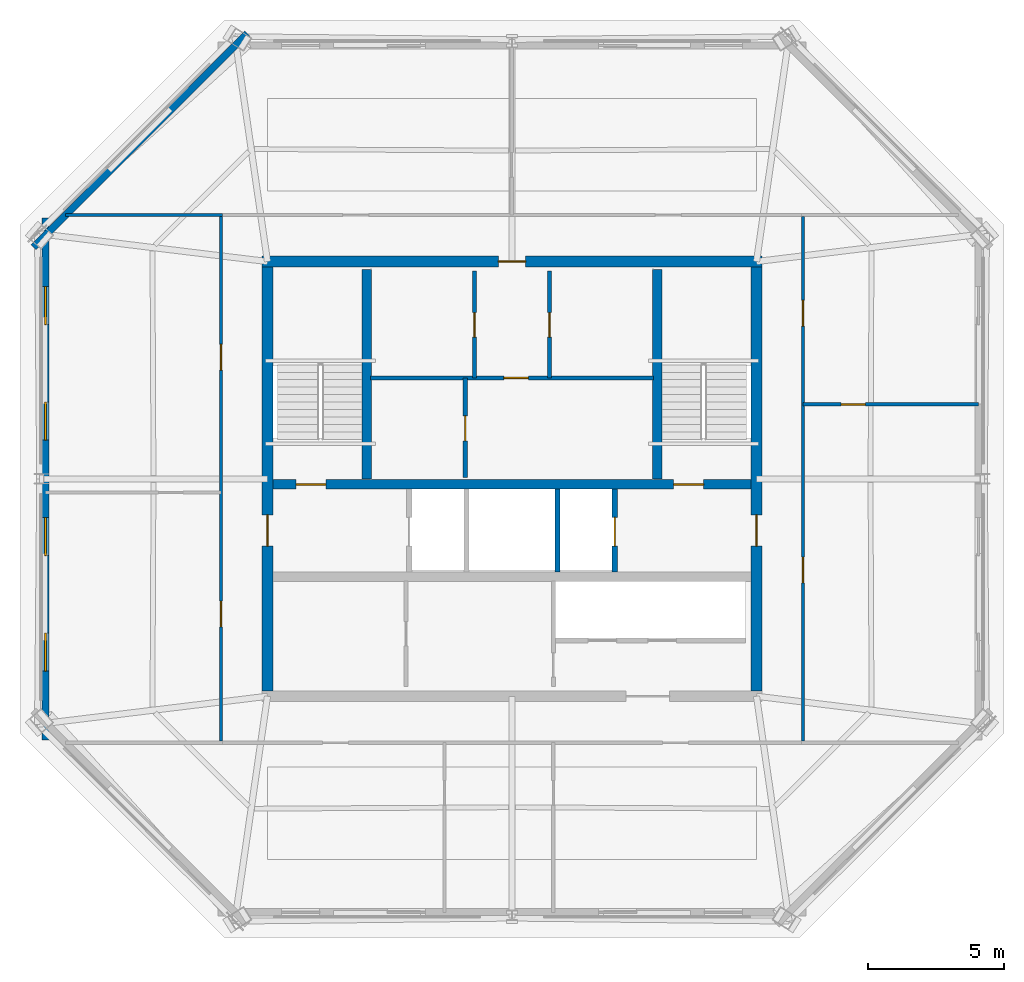
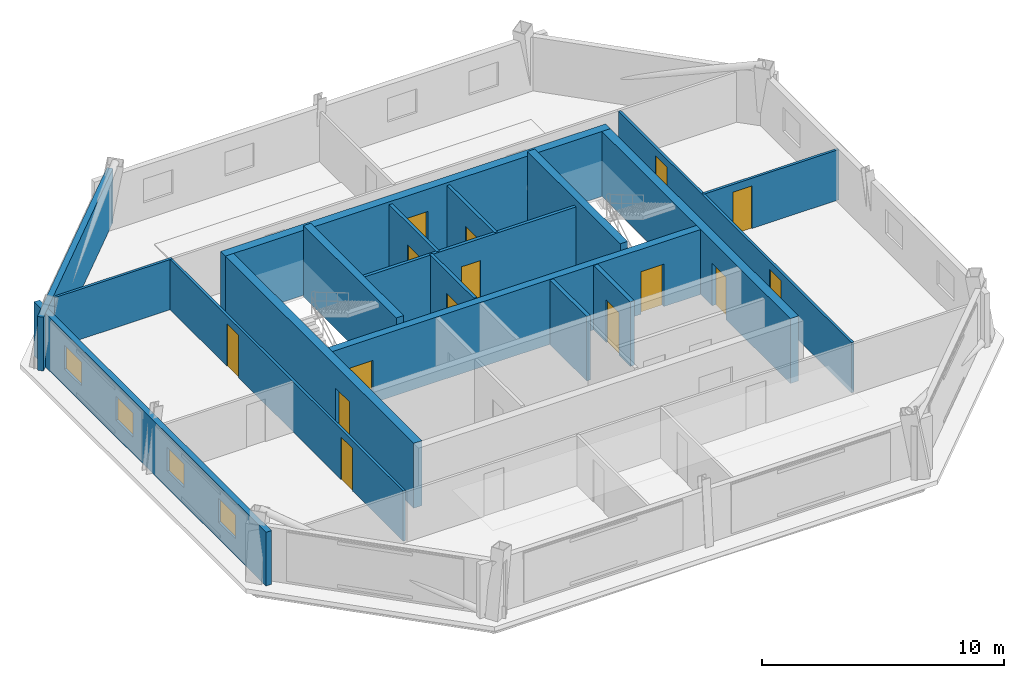
# One storey, part 3 of 5: 18 walls, 15 doors, 4 windows, 19 openings.
"""IFC4 building model written with IfcOpenShell, lengths in metres."""

import ifcopenshell
import ifcopenshell.guid

model = None  # the IFC model being written
_history = None  # IfcOwnerHistory: only IFC2X3 demands one
_inside = {}  # id of a spatial element -> (the spatial element, [elements in it])
_under = {}  # id of a project, library or spatial element -> (it, [spatial elements below it])
_declared = {}  # id of a project -> (the project, [libraries it declares])
_typed = {}  # id of a type object -> (the type object, [elements of that type])
_made_of = {}  # id of a material, layer set ... -> (it, [elements and type objects made of it])


def new_model(schema):
    """Start an empty IFC model of exactly this schema.

    Asked for "IFC4X3", IfcOpenShell would pick the latest addendum, in which some entities
    have other attributes; the version numbers below select the first issue.
    IFC2X3 requires an IfcOwnerHistory on every rooted entity: one is made here for all.
    """
    global model, _history
    if schema == "IFC4X3":
        model = ifcopenshell.file(schema_version=(4, 3, 0, 0))
    else:
        model = ifcopenshell.file(schema=schema)
    _inside.clear()
    _under.clear()
    _declared.clear()
    _typed.clear()
    _made_of.clear()
    _history = None
    if model.schema == "IFC2X3":
        org = make("IfcOrganization", Name="unknown")
        user = make(
            "IfcPersonAndOrganization",
            ThePerson=make("IfcPerson", FamilyName="unknown"),
            TheOrganization=org,
        )
        app = make(
            "IfcApplication",
            ApplicationDeveloper=org,
            Version="unknown",
            ApplicationFullName="unknown",
            ApplicationIdentifier="unknown",
        )
        _history = make(
            "IfcOwnerHistory",
            OwningUser=user,
            OwningApplication=app,
            ChangeAction="ADDED",
            CreationDate=0,
        )
    return model


def make(cls, **values):
    """One entity of the class cls with the attributes given. An attribute that is None is left unset."""
    return model.create_entity(
        cls, **{name: value for name, value in values.items() if value is not None}
    )


def rooted(cls, **values):
    """An entity with a GlobalId (a new one), such as an element, a storey or a relation."""
    return make(cls, GlobalId=ifcopenshell.guid.new(), OwnerHistory=_history, **values)


def si_unit(unit_type, name, prefix=None):
    """IfcSIUnit, for example si_unit("LENGTHUNIT", "METRE", prefix="MILLI")."""
    return make("IfcSIUnit", UnitType=unit_type, Prefix=prefix, Name=name)


def assignment(units):
    """IfcUnitAssignment: the units of a project."""
    return None if units is None else make("IfcUnitAssignment", Units=units)


def point(xyz):
    """IfcCartesianPoint."""
    return None if xyz is None else make("IfcCartesianPoint", Coordinates=xyz)


def direction(xyz):
    """IfcDirection."""
    return None if xyz is None else make("IfcDirection", DirectionRatios=xyz)


def frame(location, z_axis=None, x_axis=None):
    """IfcAxis2Placement3D, a coordinate frame: its origin and axes. An axis left out is left unset."""
    return make(
        "IfcAxis2Placement3D",
        Location=point(location),
        Axis=direction(z_axis),
        RefDirection=direction(x_axis),
    )


def frame_2d(location, x_axis=None):
    """IfcAxis2Placement2D, a coordinate frame in the plane: its origin and x axis."""
    return make(
        "IfcAxis2Placement2D", Location=point(location), RefDirection=direction(x_axis)
    )


def origin():
    """The frame at (0, 0, 0) with its axes left unset."""
    return frame((0.0, 0.0, 0.0))


def place(relative_to, where):
    """IfcLocalPlacement: puts the frame where relative to a parent placement (None: the world)."""
    return make(
        "IfcLocalPlacement", PlacementRelTo=relative_to, RelativePlacement=where
    )


def context(
    kind, dimensions, precision=None, world=None, true_north=None, identifier=None
):
    """IfcGeometricRepresentationContext, for example the 3D "Model" context."""
    return make(
        "IfcGeometricRepresentationContext",
        ContextIdentifier=identifier,
        ContextType=kind,
        CoordinateSpaceDimension=dimensions,
        Precision=precision,
        WorldCoordinateSystem=world,
        TrueNorth=true_north,
    )


def subcontext(parent, identifier, kind, view, scale=None):
    """IfcGeometricRepresentationSubContext, for example "Body" below "Model"."""
    return make(
        "IfcGeometricRepresentationSubContext",
        ContextIdentifier=identifier,
        ContextType=kind,
        ParentContext=parent,
        TargetScale=scale,
        TargetView=view,
    )


def project(units=None, contexts=None):
    """IfcProject with its units and contexts."""
    return rooted(
        "IfcProject",
        Name="project",
        RepresentationContexts=contexts,
        UnitsInContext=assignment(units),
    )


def spatial(cls, under=None, at=None, **own):
    """A site, building, storey or space (cls), placed at a placement, below another one or the project."""
    s = rooted(cls, ObjectPlacement=at, **own)
    if under is not None:
        _under.setdefault(under.id(), (under, []))[1].append(s)
    return s


def profile(cls, at=None, kind="AREA", **sizes):
    """A parametric profile (cls). Its sizes go by their IFC names, for example OverallWidth=200.0."""
    return make(cls, ProfileType=kind, Position=at, **sizes)


def rectangle(**sizes):
    """IfcRectangleProfileDef."""
    return profile("IfcRectangleProfileDef", **sizes)


def extrude(swept, where, along, depth):
    """IfcExtrudedAreaSolid: the profile swept, set in the frame where, extruded along a direction by depth."""
    return make(
        "IfcExtrudedAreaSolid",
        SweptArea=swept,
        Position=where,
        ExtrudedDirection=direction(along),
        Depth=depth,
    )


def shape(context_of_items, identifier, shape_type, items):
    """IfcShapeRepresentation: the items that make up one representation, for example the "Body"."""
    return make(
        "IfcShapeRepresentation",
        ContextOfItems=context_of_items,
        RepresentationIdentifier=identifier,
        RepresentationType=shape_type,
        Items=items,
    )


def material(Name=None, Category=None):
    """IfcMaterial."""
    return make("IfcMaterial", Name=Name, Category=Category)


def layer(
    of_material, thickness, ventilated=None, Name=None, Category=None, Priority=None
):
    """IfcMaterialLayer: one layer of a wall or slab, of a material (None: an air gap)."""
    return make(
        "IfcMaterialLayer",
        Material=of_material,
        LayerThickness=thickness,
        IsVentilated=ventilated,
        Name=Name,
        Category=Category,
        Priority=Priority,
    )


def layer_set(layers, Name=None):
    """IfcMaterialLayerSet."""
    return make("IfcMaterialLayerSet", MaterialLayers=layers, LayerSetName=Name)


def made_of(thing, what):
    """Note that an element or type object is made of a material, layer set ...; save() writes the relation."""
    if what is not None:
        _made_of.setdefault(what.id(), (what, []))[1].append(thing)
    return thing


def type_object(cls, material=None, **own):
    """A type object (cls), such as IfcWallType, which elements share."""
    return made_of(rooted(cls, **own), material)


def element(
    cls,
    number,
    at=None,
    inside=None,
    cuts=None,
    type_object=None,
    material=None,
    context=None,
    identifier="Body",
    shape_type=None,
    held_by="IfcProductDefinitionShape",
    body=None,
    shapes=None,
    **own,
):
    """One element of the class cls, such as IfcWall. Its Tag is "e" and its number.

    at: its placement. inside: the storey or other place that contains it. cuts: it is an
    opening in that element (IfcRelVoidsElement). A single representation is given by context,
    identifier, shape_type and body (its items); several are given by shapes. held_by: the class
    of the entity that holds the representations. save() writes the other relations.
    """
    e = rooted(cls, Tag="e%d" % number, ObjectPlacement=at, **own)
    if body is not None:
        shapes = [shape(context, identifier, shape_type, body)]
    if shapes is not None:
        e.Representation = make(held_by, Representations=shapes)
    if inside is not None:
        _inside.setdefault(inside.id(), (inside, []))[1].append(e)
    if cuts is not None:
        rooted(
            "IfcRelVoidsElement", RelatingBuildingElement=cuts, RelatedOpeningElement=e
        )
    if type_object is not None:
        _typed.setdefault(type_object.id(), (type_object, []))[1].append(e)
    return made_of(e, material)


def fill(opening, filler):
    """IfcRelFillsElement: the door or window that sits in an opening."""
    return rooted(
        "IfcRelFillsElement",
        RelatingOpeningElement=opening,
        RelatedBuildingElement=filler,
    )


def aggregate(whole, parts):
    """IfcRelAggregates: a whole, such as a stair, and the parts it consists of."""
    return rooted("IfcRelAggregates", RelatingObject=whole, RelatedObjects=parts)


def save(model, path):
    """Write the relations noted so far, then the file.

    IfcRelAggregates (storeys below a building ...), IfcRelContainedInSpatialStructure (elements
    in a storey), IfcRelDefinesByType, IfcRelAssociatesMaterial and IfcRelDeclares: one each for
    every whole, place, type object, material and project.
    """
    for whole, parts in _under.values():
        aggregate(whole, parts)
    for where, things in _inside.values():
        rooted(
            "IfcRelContainedInSpatialStructure",
            RelatedElements=things,
            RelatingStructure=where,
        )
    for kind, things in _typed.values():
        rooted("IfcRelDefinesByType", RelatedObjects=things, RelatingType=kind)
    for what, things in _made_of.values():
        rooted("IfcRelAssociatesMaterial", RelatedObjects=things, RelatingMaterial=what)
    for by, libraries in _declared.values():
        rooted("IfcRelDeclares", RelatingContext=by, RelatedDefinitions=libraries)
    model.write(path)


model = new_model("IFC4")

# Units and contexts
model_context = context("Model", 3, precision=1e-05, world=origin(), true_north=direction((0.0, 1.0)))
body_context = subcontext(model_context, "Body", "Model", "MODEL_VIEW")
ifc_project = project(units=[si_unit("LENGTHUNIT", "METRE"), si_unit("AREAUNIT", "SQUARE_METRE"), si_unit("VOLUMEUNIT", "CUBIC_METRE"), si_unit("PLANEANGLEUNIT", "RADIAN"), si_unit("MASSUNIT", "GRAM", prefix="KILO")], contexts=[model_context])

# Site, building, storey
site_placement = place(None, origin())
site = spatial("IfcSite", under=ifc_project, at=site_placement, CompositionType="ELEMENT")
building_placement = place(site_placement, origin())
building = spatial("IfcBuilding", under=site, at=building_placement, Name="Caelvoria Tower", CompositionType="ELEMENT")
storey_placement = place(building_placement, frame((0.0, 0.0, 275.39990234375)))
storey = spatial("IfcBuildingStorey", under=building, at=storey_placement, Name="L73", CompositionType="ELEMENT", Elevation=275.39990234375)

# Wall, openings, doors
ifc_material_1 = material(Name="Concrete C50/60", Category="concrete")
ifc_layer_1 = layer(ifc_material_1, 0.35009765625, Name="Concrete C50/60")
ifc_layer_set_1 = layer_set([ifc_layer_1], Name="Core Internal Shear Wall 350 - Concrete C50/60")
wall_type_1 = type_object("IfcWallType", Name="Core Internal Shear Wall 350", PredefinedType="SHEAR", material=ifc_layer_set_1)
wall_1_placement = place(storey_placement, frame((37.199951171875, 31.800048828125, 0.0), z_axis=(0.0, 0.0, 1.0), x_axis=(1.0, 0.0, 0.0)))
wall_1 = element("IfcWall", 1, at=wall_1_placement, inside=storey, type_object=wall_type_1, Name="Core Shear Wall L73 M1", PredefinedType="SHEAR", context=body_context, shape_type="SweptSolid", body=[
    extrude(rectangle(XDim=17.60009765625, YDim=0.35009765625, at=frame_2d((8.800048828125, 0.0))), origin(), (0.0, 0.0, 1.0), 3.280029296875),
])
opening_1_placement = place(wall_1_placement, frame((0.85009765625, 0.0, 0.0)))
opening_1 = element("IfcOpeningElement", 2, at=opening_1_placement, cuts=wall_1, Name="Opening ID-01", PredefinedType="OPENING", context=body_context, shape_type="SweptSolid", body=[
    extrude(rectangle(XDim=1.10009765625, YDim=2.14990234375, at=frame_2d((0.550048828125, 1.074951171875))), frame((0.0, 0.18505859375, 0.0), z_axis=(0.0, -1.0, 0.0), x_axis=(1.0, 0.0, 0.0)), (0.0, 0.0, 1.0), 0.3701171875),
])
opening_2_placement = place(wall_1_placement, frame((14.75, 0.0, 0.0)))
opening_2 = element("IfcOpeningElement", 3, at=opening_2_placement, cuts=wall_1, Name="Opening ID-01", PredefinedType="OPENING", context=body_context, shape_type="SweptSolid", body=[
    extrude(rectangle(XDim=1.10009765625, YDim=2.14990234375, at=frame_2d((0.550048828125, 1.074951171875))), frame((0.0, 0.18505859375, 0.0), z_axis=(0.0, -1.0, 0.0), x_axis=(1.0, 0.0, 0.0)), (0.0, 0.0, 1.0), 0.3701171875),
])
ifc_material_2 = material(Name="Painted Hollow Steel Fire Door", Category="steel")
door_type_1 = type_object("IfcDoorType", Name="Fire Door FD90S 1100x2150", OperationType="NOTDEFINED", PredefinedType="DOOR", material=ifc_material_2)
door_1_placement = place(opening_1_placement, origin())
door_1 = element("IfcDoor", 4, at=door_1_placement, inside=storey, type_object=door_type_1, Name="Core Door DR-L73-ST1", OperationType="SINGLE_SWING_LEFT", OverallHeight=2.14990234375, OverallWidth=1.10009765625, PredefinedType="DOOR", context=body_context, shape_type="SweptSolid", body=[
    extrude(rectangle(XDim=1.10009765625, YDim=2.14990234375, at=frame_2d((0.550048828125, 1.074951171875))), frame((0.0, 0.02490234375, 0.0), z_axis=(0.0, -1.0, 0.0), x_axis=(1.0, 0.0, 0.0)), (0.0, 0.0, 1.0), 0.050048828125),
])
fill(opening_1, door_1)
door_2_placement = place(opening_2_placement, origin())
door_2 = element("IfcDoor", 5, at=door_2_placement, inside=storey, type_object=door_type_1, Name="Core Door DR-L73-ST2", OperationType="SINGLE_SWING_RIGHT", OverallHeight=2.14990234375, OverallWidth=1.10009765625, PredefinedType="DOOR", context=body_context, shape_type="SweptSolid", body=[
    extrude(rectangle(XDim=1.10009765625, YDim=2.14990234375, at=frame_2d((0.550048828125, 1.074951171875))), frame((0.0, 0.02490234375, 0.0), z_axis=(0.0, -1.0, 0.0), x_axis=(1.0, 0.0, 0.0)), (0.0, 0.0, 1.0), 0.050048828125),
])
fill(opening_2, door_2)

# Walls
for number, where, z_axis, x_axis, name in (
    (6, (40.64990234375, 32.0, 0.0), (0.0, 0.0, 1.0), (0.0, 1.0, 0.0), "Interior Partition IW-L73-ST1E"),
    (7, (51.35009765625, 32.0, 0.0), (0.0, 0.0, 1.0), (0.0, 1.0, 0.0), "Interior Partition IW-L73-ST2W"),
):
    element("IfcWall", number, at=place(storey_placement, frame(where, z_axis=z_axis, x_axis=x_axis)), inside=storey, type_object=wall_type_1, Name=name, PredefinedType="SHEAR", context=body_context, shape_type="SweptSolid", body=[
        extrude(rectangle(XDim=7.699951171875, YDim=0.35009765625, at=frame_2d((3.85009765625, 0.0))), origin(), (0.0, 0.0, 1.0), 3.60009765625),
    ])

# Wall, opening, door
ifc_material_3 = material(Name="Double Gypsum Board on Steel Stud", Category="steel")
ifc_layer_2 = layer(ifc_material_3, 0.14990234375, Name="Double Gypsum Board on Steel Stud")
ifc_layer_set_2 = layer_set([ifc_layer_2], Name="Core Service Acoustic Partition Wall 150 - Double Gypsum Board on Steel Stud")
wall_type_2 = type_object("IfcWallType", Name="Core Service Acoustic Partition Wall 150", PredefinedType="PARTITIONING", material=ifc_layer_set_2)
wall_2_placement = place(storey_placement, frame((44.6201171875, 35.719970703125, 0.0), z_axis=(0.0, 0.0, 1.0), x_axis=(0.0, 1.0, 0.0)))
wall_2 = element("IfcWall", 8, at=wall_2_placement, inside=storey, type_object=wall_type_2, Name="Interior Partition IW-L73-C0L", PredefinedType="PARTITIONING", context=body_context, shape_type="SweptSolid", body=[
    extrude(rectangle(XDim=3.929931640625, YDim=0.14990234375, at=frame_2d((1.96484375, 0.0))), origin(), (0.0, 0.0, 1.0), 3.260009765625),
])
opening_3_placement = place(wall_2_placement, frame((1.5, 0.0, 0.0)))
opening_3 = element("IfcOpeningElement", 9, at=opening_3_placement, cuts=wall_2, Name="Opening ID-06", PredefinedType="OPENING", context=body_context, shape_type="SweptSolid", body=[
    extrude(rectangle(XDim=0.89990234375, YDim=2.14990234375, at=frame_2d((0.449951171875, 1.074951171875))), frame((0.0, 0.0849609375, 0.0), z_axis=(0.0, -1.0, 0.0), x_axis=(1.0, 0.0, 0.0)), (0.0, 0.0, 1.0), 0.169921875),
])
ifc_material_4 = material(Name="Engineered Andean Oak Veneer Door", Category="wood")
door_type_2 = type_object("IfcDoorType", Name="Interior Timber Door 900x2150", OperationType="NOTDEFINED", PredefinedType="DOOR", material=ifc_material_4)
door_3_placement = place(opening_3_placement, origin())
door_3 = element("IfcDoor", 10, at=door_3_placement, inside=storey, type_object=door_type_2, Name="Interior Door DR-L73-C01", OperationType="SINGLE_SWING_LEFT", OverallHeight=2.14990234375, OverallWidth=0.89990234375, PredefinedType="DOOR", context=body_context, shape_type="SweptSolid", body=[
    extrude(rectangle(XDim=0.89990234375, YDim=2.14990234375, at=frame_2d((0.449951171875, 1.074951171875))), frame((0.0, 0.02490234375, 0.0), z_axis=(0.0, -1.0, 0.0), x_axis=(1.0, 0.0, 0.0)), (0.0, 0.0, 1.0), 0.050048828125),
])
fill(opening_3, door_3)

wall_3_placement = place(storey_placement, frame((47.3798828125, 35.719970703125, 0.0), z_axis=(0.0, 0.0, 1.0), x_axis=(0.0, 1.0, 0.0)))
wall_3 = element("IfcWall", 11, at=wall_3_placement, inside=storey, type_object=wall_type_2, Name="Interior Partition IW-L73-C0R", PredefinedType="PARTITIONING", context=body_context, shape_type="SweptSolid", body=[
    extrude(rectangle(XDim=3.929931640625, YDim=0.14990234375, at=frame_2d((1.96484375, 0.0))), origin(), (0.0, 0.0, 1.0), 3.260009765625),
])
opening_4_placement = place(wall_3_placement, frame((1.5, 0.0, 0.0)))
opening_4 = element("IfcOpeningElement", 12, at=opening_4_placement, cuts=wall_3, Name="Opening ID-06", PredefinedType="OPENING", context=body_context, shape_type="SweptSolid", body=[
    extrude(rectangle(XDim=0.89990234375, YDim=2.14990234375, at=frame_2d((0.449951171875, 1.074951171875))), frame((0.0, 0.0849609375, 0.0), z_axis=(0.0, -1.0, 0.0), x_axis=(1.0, 0.0, 0.0)), (0.0, 0.0, 1.0), 0.169921875),
])
door_4_placement = place(opening_4_placement, origin())
door_4 = element("IfcDoor", 13, at=door_4_placement, inside=storey, type_object=door_type_2, Name="Interior Door DR-L73-C02", OperationType="SINGLE_SWING_RIGHT", OverallHeight=2.14990234375, OverallWidth=0.89990234375, PredefinedType="DOOR", context=body_context, shape_type="SweptSolid", body=[
    extrude(rectangle(XDim=0.89990234375, YDim=2.14990234375, at=frame_2d((0.449951171875, 1.074951171875))), frame((0.0, 0.02490234375, 0.0), z_axis=(0.0, -1.0, 0.0), x_axis=(1.0, 0.0, 0.0)), (0.0, 0.0, 1.0), 0.050048828125),
])
fill(opening_4, door_4)

wall_4_placement = place(storey_placement, frame((44.280029296875, 32.050048828125, 0.0), z_axis=(0.0, 0.0, 1.0), x_axis=(0.0, 1.0, 0.0)))
wall_4 = element("IfcWall", 14, at=wall_4_placement, inside=storey, type_object=wall_type_2, Name="Interior Partition IW-L73-C0M", PredefinedType="PARTITIONING", context=body_context, shape_type="SweptSolid", body=[
    extrude(rectangle(XDim=3.669921875, YDim=0.14990234375, at=frame_2d((1.8349609375, 0.0))), origin(), (0.0, 0.0, 1.0), 3.260009765625),
])
opening_5_placement = place(wall_4_placement, frame((1.35009765625, 0.0, 0.0)))
opening_5 = element("IfcOpeningElement", 15, at=opening_5_placement, cuts=wall_4, Name="Opening ID-07", PredefinedType="OPENING", context=body_context, shape_type="SweptSolid", body=[
    extrude(rectangle(XDim=0.919921875, YDim=2.14990234375, at=frame_2d((0.4599609375, 1.074951171875))), frame((0.0, 0.0849609375, 0.0), z_axis=(0.0, -1.0, 0.0), x_axis=(1.0, 0.0, 0.0)), (0.0, 0.0, 1.0), 0.169921875),
])
ifc_material_5 = material(Name="Engineered Andean Oak Accessible Door", Category="wood")
door_type_3 = type_object("IfcDoorType", Name="Accessible WC Door 950x2150", OperationType="NOTDEFINED", PredefinedType="DOOR", material=ifc_material_5)
door_5_placement = place(opening_5_placement, origin())
door_5 = element("IfcDoor", 16, at=door_5_placement, inside=storey, type_object=door_type_3, Name="Interior Door DR-L73-C05", OperationType="SINGLE_SWING_LEFT", OverallHeight=2.14990234375, OverallWidth=0.919921875, PredefinedType="DOOR", context=body_context, shape_type="SweptSolid", body=[
    extrude(rectangle(XDim=0.919921875, YDim=2.14990234375, at=frame_2d((0.4599609375, 1.074951171875))), frame((0.0, 0.02490234375, 0.0), z_axis=(0.0, -1.0, 0.0), x_axis=(1.0, 0.0, 0.0)), (0.0, 0.0, 1.0), 0.050048828125),
])
fill(opening_5, door_5)

wall_5_placement = place(storey_placement, frame((40.800048828125, 35.719970703125, 0.0), z_axis=(0.0, 0.0, 1.0), x_axis=(1.0, 0.0, 0.0)))
wall_5 = element("IfcWall", 17, at=wall_5_placement, inside=storey, type_object=wall_type_2, Name="Interior Partition IW-L73-C0H", PredefinedType="PARTITIONING", context=body_context, shape_type="SweptSolid", body=[
    extrude(rectangle(XDim=10.39990234375, YDim=0.14990234375, at=frame_2d((5.199951171875, 0.0))), origin(), (0.0, 0.0, 1.0), 3.260009765625),
])
opening_6_placement = place(wall_5_placement, frame((4.89990234375, 0.0, 0.0)))
opening_6 = element("IfcOpeningElement", 18, at=opening_6_placement, cuts=wall_5, Name="Opening ID-04", PredefinedType="OPENING", context=body_context, shape_type="SweptSolid", body=[
    extrude(rectangle(XDim=0.89990234375, YDim=2.14990234375, at=frame_2d((0.449951171875, 1.074951171875))), frame((0.0, 0.0849609375, 0.0), z_axis=(0.0, -1.0, 0.0), x_axis=(1.0, 0.0, 0.0)), (0.0, 0.0, 1.0), 0.169921875),
])
ifc_material_6 = material(Name="Acoustic Timber Fire Door", Category="wood")
door_type_4 = type_object("IfcDoorType", Name="Fire Door FD30S 900x2150", OperationType="NOTDEFINED", PredefinedType="DOOR", material=ifc_material_6)
door_6_placement = place(opening_6_placement, origin())
door_6 = element("IfcDoor", 19, at=door_6_placement, inside=storey, type_object=door_type_4, Name="Interior Door DR-L73-C04", OperationType="SINGLE_SWING_RIGHT", OverallHeight=2.14990234375, OverallWidth=0.89990234375, PredefinedType="DOOR", context=body_context, shape_type="SweptSolid", body=[
    extrude(rectangle(XDim=0.89990234375, YDim=2.14990234375, at=frame_2d((0.449951171875, 1.074951171875))), frame((0.0, 0.02490234375, 0.0), z_axis=(0.0, -1.0, 0.0), x_axis=(1.0, 0.0, 0.0)), (0.0, 0.0, 1.0), 0.050048828125),
])
fill(opening_6, door_6)

# Wall
ifc_material_7 = material(Name="Concrete Block and Fireboard Assembly", Category="concrete")
ifc_layer_3 = layer(ifc_material_7, 0.179931640625, Name="Concrete Block and Fireboard Assembly")
ifc_layer_set_3 = layer_set([ifc_layer_3], Name="Fire-Rated Hoistway Partition Wall 180 - Concrete Block and Fireboard Assembly")
wall_type_3 = type_object("IfcWallType", Name="Fire-Rated Hoistway Partition Wall 180", PredefinedType="PARTITIONING", material=ifc_layer_set_3)
wall_6_placement = place(storey_placement, frame((47.679931640625, 28.580078125, 0.0), z_axis=(0.0, 0.0, 1.0), x_axis=(0.0, 1.0, 0.0)))
element("IfcWall", 20, at=wall_6_placement, inside=storey, type_object=wall_type_3, Name="Interior Partition IW-L73-SV1E", PredefinedType="PARTITIONING", context=body_context, shape_type="SweptSolid", body=[
    extrude(rectangle(XDim=3.0400390625, YDim=0.179931640625, at=frame_2d((1.52001953125, 0.0))), origin(), (0.0, 0.0, 1.0), 3.260009765625),
])

# Wall, opening, door
ifc_layer_4 = layer(ifc_material_7, 0.199951171875, Name="Concrete Block and Fireboard Assembly")
ifc_layer_set_4 = layer_set([ifc_layer_4], Name="Fire-Rated Shaft and Core Partition Wall 200 - Concrete Block and Fireboard Assembly")
wall_type_4 = type_object("IfcWallType", Name="Fire-Rated Shaft and Core Partition Wall 200", PredefinedType="PARTITIONING", material=ifc_layer_set_4)
wall_7_placement = place(storey_placement, frame((49.780029296875, 28.580078125, 0.0), z_axis=(0.0, 0.0, 1.0), x_axis=(0.0, 1.0, 0.0)))
wall_7 = element("IfcWall", 21, at=wall_7_placement, inside=storey, type_object=wall_type_4, Name="Interior Partition IW-L73-LF2E", PredefinedType="PARTITIONING", context=body_context, shape_type="SweptSolid", body=[
    extrude(rectangle(XDim=3.0400390625, YDim=0.199951171875, at=frame_2d((1.52001953125, 0.0))), origin(), (0.0, 0.0, 1.0), 3.260009765625),
])
opening_7_placement = place(wall_7_placement, frame((0.949951171875, 0.0, 0.0)))
opening_7 = element("IfcOpeningElement", 22, at=opening_7_placement, cuts=wall_7, Name="Opening LD-01", PredefinedType="OPENING", context=body_context, shape_type="SweptSolid", body=[
    extrude(rectangle(XDim=1.050048828125, YDim=2.14990234375, at=frame_2d((0.52490234375, 1.074951171875))), frame((0.0, 0.10986328125, 0.0), z_axis=(0.0, -1.0, 0.0), x_axis=(1.0, 0.0, 0.0)), (0.0, 0.0, 1.0), 0.219970703125),
])
ifc_material_8 = material(Name="Brushed Bronze Stainless Sliding Landing Door", Category="aluminium")
door_type_5 = type_object("IfcDoorType", Name="Lift Landing Sliding Door 1100x2150", OperationType="NOTDEFINED", PredefinedType="DOOR", material=ifc_material_8)
door_7_placement = place(opening_7_placement, origin())
door_7 = element("IfcDoor", 23, at=door_7_placement, inside=storey, type_object=door_type_5, Name="Interior Door LD-L73-LF2", OperationType="SLIDING_TO_RIGHT", OverallHeight=2.14990234375, OverallWidth=1.050048828125, PredefinedType="DOOR", context=body_context, shape_type="SweptSolid", body=[
    extrude(rectangle(XDim=1.050048828125, YDim=2.14990234375, at=frame_2d((0.52490234375, 1.074951171875))), frame((0.0, 0.02490234375, 0.0), z_axis=(0.0, -1.0, 0.0), x_axis=(1.0, 0.0, 0.0)), (0.0, 0.0, 1.0), 0.050048828125),
])
fill(opening_7, door_7)

ifc_layer_5 = layer(ifc_material_1, 0.39990234375, Name="Concrete C50/60")
ifc_layer_set_5 = layer_set([ifc_layer_5], Name="Summit Core Shear Wall 400 - Concrete C50/60")
wall_type_5 = type_object("IfcWallType", Name="Summit Core Shear Wall 400", PredefinedType="SHEAR", material=ifc_layer_set_5)
wall_8_placement = place(storey_placement, frame((36.800048828125, 40.0, 0.0), z_axis=(0.0, 0.0, 1.0), x_axis=(1.0, 0.0, 0.0)))
wall_8 = element("IfcWall", 24, at=wall_8_placement, inside=storey, type_object=wall_type_5, Name="Core Shear Wall L73 N", PredefinedType="SHEAR", context=body_context, shape_type="SweptSolid", body=[
    extrude(rectangle(XDim=18.39990234375, YDim=0.39990234375, at=frame_2d((9.199951171875, 0.0))), origin(), (0.0, 0.0, 1.0), 3.280029296875),
])
opening_8_placement = place(wall_8_placement, frame((8.699951171875, 0.0, 0.0)))
opening_8 = element("IfcOpeningElement", 25, at=opening_8_placement, cuts=wall_8, Name="Opening ID-03", PredefinedType="OPENING", context=body_context, shape_type="SweptSolid", body=[
    extrude(rectangle(XDim=1.0, YDim=2.14990234375, at=frame_2d((0.5, 1.074951171875))), frame((0.0, 0.2099609375, 0.0), z_axis=(0.0, -1.0, 0.0), x_axis=(1.0, 0.0, 0.0)), (0.0, 0.0, 1.0), 0.419921875),
])
door_type_6 = type_object("IfcDoorType", Name="Fire Door FD60S 1000x2150", OperationType="NOTDEFINED", PredefinedType="DOOR", material=ifc_material_2)
door_8_placement = place(opening_8_placement, origin())
door_8 = element("IfcDoor", 26, at=door_8_placement, inside=storey, type_object=door_type_6, Name="Core Door DR-L73-WC-MAIN", OperationType="SINGLE_SWING_RIGHT", OverallHeight=2.14990234375, OverallWidth=1.0, PredefinedType="DOOR", context=body_context, shape_type="SweptSolid", body=[
    extrude(rectangle(XDim=1.0, YDim=2.14990234375, at=frame_2d((0.5, 1.074951171875))), frame((0.0, 0.02490234375, 0.0), z_axis=(0.0, -1.0, 0.0), x_axis=(1.0, 0.0, 0.0)), (0.0, 0.0, 1.0), 0.050048828125),
])
fill(opening_8, door_8)

wall_9_placement = place(storey_placement, frame((37.0, 24.199951171875, 0.0), z_axis=(0.0, 0.0, 1.0), x_axis=(0.0, 1.0, 0.0)))
wall_9 = element("IfcWall", 27, at=wall_9_placement, inside=storey, type_object=wall_type_5, Name="Core Shear Wall L73 W", PredefinedType="SHEAR", context=body_context, shape_type="SweptSolid", body=[
    extrude(rectangle(XDim=15.60009765625, YDim=0.39990234375, at=frame_2d((7.800048828125, 0.0))), origin(), (0.0, 0.0, 1.0), 3.280029296875),
])
opening_9_placement = place(wall_9_placement, frame((5.324951171875, 0.0, 0.0)))
opening_9 = element("IfcOpeningElement", 28, at=opening_9_placement, cuts=wall_9, Name="Opening ID-02", PredefinedType="OPENING", context=body_context, shape_type="SweptSolid", body=[
    extrude(rectangle(XDim=1.14990234375, YDim=2.14990234375, at=frame_2d((0.574951171875, 1.074951171875))), frame((0.0, 0.2099609375, 0.0), z_axis=(0.0, -1.0, 0.0), x_axis=(1.0, 0.0, 0.0)), (0.0, 0.0, 1.0), 0.419921875),
])
door_type_7 = type_object("IfcDoorType", Name="Fire Door FD60S 1150x2150", OperationType="NOTDEFINED", PredefinedType="DOOR", material=ifc_material_2)
door_9_placement = place(opening_9_placement, origin())
door_9 = element("IfcDoor", 29, at=door_9_placement, inside=storey, type_object=door_type_7, Name="Core Door DR-L73-FFLW-OUT", OperationType="SINGLE_SWING_LEFT", OverallHeight=2.14990234375, OverallWidth=1.14990234375, PredefinedType="DOOR", context=body_context, shape_type="SweptSolid", body=[
    extrude(rectangle(XDim=1.14990234375, YDim=2.14990234375, at=frame_2d((0.574951171875, 1.074951171875))), frame((0.0, 0.02490234375, 0.0), z_axis=(0.0, -1.0, 0.0), x_axis=(1.0, 0.0, 0.0)), (0.0, 0.0, 1.0), 0.050048828125),
])
fill(opening_9, door_9)

wall_10_placement = place(storey_placement, frame((55.0, 24.199951171875, 0.0), z_axis=(0.0, 0.0, 1.0), x_axis=(0.0, 1.0, 0.0)))
wall_10 = element("IfcWall", 30, at=wall_10_placement, inside=storey, type_object=wall_type_5, Name="Core Shear Wall L73 E", PredefinedType="SHEAR", context=body_context, shape_type="SweptSolid", body=[
    extrude(rectangle(XDim=15.60009765625, YDim=0.39990234375, at=frame_2d((7.800048828125, 0.0))), origin(), (0.0, 0.0, 1.0), 3.280029296875),
])
opening_10_placement = place(wall_10_placement, frame((5.324951171875, 0.0, 0.0)))
opening_10 = element("IfcOpeningElement", 31, at=opening_10_placement, cuts=wall_10, Name="Opening ID-02", PredefinedType="OPENING", context=body_context, shape_type="SweptSolid", body=[
    extrude(rectangle(XDim=1.14990234375, YDim=2.14990234375, at=frame_2d((0.574951171875, 1.074951171875))), frame((0.0, 0.2099609375, 0.0), z_axis=(0.0, -1.0, 0.0), x_axis=(1.0, 0.0, 0.0)), (0.0, 0.0, 1.0), 0.419921875),
])
door_10_placement = place(opening_10_placement, origin())
door_10 = element("IfcDoor", 32, at=door_10_placement, inside=storey, type_object=door_type_7, Name="Core Door DR-L73-FFLE-OUT", OperationType="SINGLE_SWING_RIGHT", OverallHeight=2.14990234375, OverallWidth=1.14990234375, PredefinedType="DOOR", context=body_context, shape_type="SweptSolid", body=[
    extrude(rectangle(XDim=1.14990234375, YDim=2.14990234375, at=frame_2d((0.574951171875, 1.074951171875))), frame((0.0, 0.02490234375, 0.0), z_axis=(0.0, -1.0, 0.0), x_axis=(1.0, 0.0, 0.0)), (0.0, 0.0, 1.0), 0.050048828125),
])
fill(opening_10, door_10)

# Wall, openings, doors
ifc_material_9 = material(Name="Acoustic Gypsum Board on Light-Gauge Stud", Category="gypsum")
ifc_layer_6 = layer(ifc_material_9, 0.1201171875, Name="Acoustic Gypsum Board on Light-Gauge Stud")
ifc_layer_set_6 = layer_set([ifc_layer_6], Name="Tenant Suite Acoustic Partition Wall 120 - Acoustic Gypsum Board on Light-Gauge Stud")
wall_type_6 = type_object("IfcWallType", Name="Tenant Suite Acoustic Partition Wall 120", PredefinedType="PARTITIONING", material=ifc_layer_set_6)
wall_11_placement = place(storey_placement, frame((35.2900390625, 22.35009765625, 0.0), z_axis=(0.0, 0.0, 1.0), x_axis=(0.0, 1.0, 0.0)))
wall_11 = element("IfcWall", 33, at=wall_11_placement, inside=storey, type_object=wall_type_6, Name="Interior Partition IW-L73-WCW-0", PredefinedType="PARTITIONING", context=body_context, shape_type="SweptSolid", body=[
    extrude(rectangle(XDim=19.2998046875, YDim=0.1201171875, at=frame_2d((9.64990234375, 0.0))), origin(), (0.0, 0.0, 1.0), 2.5400390625),
])
opening_11_placement = place(wall_11_placement, frame((4.201416015625, 0.0, 0.0)))
opening_11 = element("IfcOpeningElement", 34, at=opening_11_placement, cuts=wall_11, Name="Opening ID-05", PredefinedType="OPENING", context=body_context, shape_type="SweptSolid", body=[
    extrude(rectangle(XDim=0.949951171875, YDim=2.14990234375, at=frame_2d((0.47509765625, 1.074951171875))), frame((0.0, 0.070068359375, 0.0), z_axis=(0.0, -1.0, 0.0), x_axis=(1.0, 0.0, 0.0)), (0.0, 0.0, 1.0), 0.14013671875),
])
opening_12_placement = place(wall_11_placement, frame((13.6513671875, 0.0, 0.0)))
opening_12 = element("IfcOpeningElement", 35, at=opening_12_placement, cuts=wall_11, Name="Opening ID-05", PredefinedType="OPENING", context=body_context, shape_type="SweptSolid", body=[
    extrude(rectangle(XDim=0.949951171875, YDim=2.14990234375, at=frame_2d((0.47509765625, 1.074951171875))), frame((0.0, 0.070068359375, 0.0), z_axis=(0.0, -1.0, 0.0), x_axis=(1.0, 0.0, 0.0)), (0.0, 0.0, 1.0), 0.14013671875),
])
door_type_8 = type_object("IfcDoorType", Name="Interior Timber Door 950x2150", OperationType="NOTDEFINED", PredefinedType="DOOR", material=ifc_material_4)
door_11_placement = place(opening_11_placement, origin())
door_11 = element("IfcDoor", 36, at=door_11_placement, inside=storey, type_object=door_type_8, Name="Interior Door DR-L73-WC-00-0", OperationType="SINGLE_SWING_RIGHT", OverallHeight=2.14990234375, OverallWidth=0.949951171875, PredefinedType="DOOR", context=body_context, shape_type="SweptSolid", body=[
    extrude(rectangle(XDim=0.949951171875, YDim=2.14990234375, at=frame_2d((0.47509765625, 1.074951171875))), frame((0.0, 0.02490234375, 0.0), z_axis=(0.0, -1.0, 0.0), x_axis=(1.0, 0.0, 0.0)), (0.0, 0.0, 1.0), 0.050048828125),
])
fill(opening_11, door_11)
door_12_placement = place(opening_12_placement, origin())
door_12 = element("IfcDoor", 37, at=door_12_placement, inside=storey, type_object=door_type_8, Name="Interior Door DR-L73-WC-01-0", OperationType="SINGLE_SWING_LEFT", OverallHeight=2.14990234375, OverallWidth=0.949951171875, PredefinedType="DOOR", context=body_context, shape_type="SweptSolid", body=[
    extrude(rectangle(XDim=0.949951171875, YDim=2.14990234375, at=frame_2d((0.47509765625, 1.074951171875))), frame((0.0, 0.02490234375, 0.0), z_axis=(0.0, -1.0, 0.0), x_axis=(1.0, 0.0, 0.0)), (0.0, 0.0, 1.0), 0.050048828125),
])
fill(opening_12, door_12)

# Wall, opening, door
wall_12_placement = place(storey_placement, frame((56.7099609375, 34.744873046875, 0.0), z_axis=(0.0, 0.0, 1.0), x_axis=(1.0, 0.0, 0.0)))
wall_12 = element("IfcWall", 38, at=wall_12_placement, inside=storey, type_object=wall_type_6, Name="Interior Partition IW-L73-ED-00-0", PredefinedType="PARTITIONING", context=body_context, shape_type="SweptSolid", body=[
    extrude(rectangle(XDim=6.459228515625, YDim=0.1201171875, at=frame_2d((3.2294921875, 0.0))), origin(), (0.0, 0.0, 1.0), 2.5400390625),
])
opening_13_placement = place(wall_12_placement, frame((1.39990234375, 0.0, 0.0)))
opening_13 = element("IfcOpeningElement", 39, at=opening_13_placement, cuts=wall_12, Name="Opening ID-06", PredefinedType="OPENING", context=body_context, shape_type="SweptSolid", body=[
    extrude(rectangle(XDim=0.89990234375, YDim=2.14990234375, at=frame_2d((0.449951171875, 1.074951171875))), frame((0.0, 0.070068359375, 0.0), z_axis=(0.0, -1.0, 0.0), x_axis=(1.0, 0.0, 0.0)), (0.0, 0.0, 1.0), 0.14013671875),
])
door_13_placement = place(opening_13_placement, origin())
door_13 = element("IfcDoor", 40, at=door_13_placement, inside=storey, type_object=door_type_2, Name="Interior Door DR-L73-EM-00-0", OperationType="SINGLE_SWING_RIGHT", OverallHeight=2.14990234375, OverallWidth=0.89990234375, PredefinedType="DOOR", context=body_context, shape_type="SweptSolid", body=[
    extrude(rectangle(XDim=0.89990234375, YDim=2.14990234375, at=frame_2d((0.449951171875, 1.074951171875))), frame((0.0, 0.02490234375, 0.0), z_axis=(0.0, -1.0, 0.0), x_axis=(1.0, 0.0, 0.0)), (0.0, 0.0, 1.0), 0.050048828125),
])
fill(opening_13, door_13)

# Wall, openings, doors
wall_13_placement = place(storey_placement, frame((56.7099609375, 22.35009765625, 0.0), z_axis=(0.0, 0.0, 1.0), x_axis=(0.0, 1.0, 0.0)))
wall_13 = element("IfcWall", 41, at=wall_13_placement, inside=storey, type_object=wall_type_6, Name="Interior Partition IW-L73-ECW-0", PredefinedType="PARTITIONING", context=body_context, shape_type="SweptSolid", body=[
    extrude(rectangle(XDim=19.2998046875, YDim=0.1201171875, at=frame_2d((9.64990234375, 0.0))), origin(), (0.0, 0.0, 1.0), 2.5400390625),
])
opening_14_placement = place(wall_13_placement, frame((5.822509765625, 0.0, 0.0)))
opening_14 = element("IfcOpeningElement", 42, at=opening_14_placement, cuts=wall_13, Name="Opening ID-05", PredefinedType="OPENING", context=body_context, shape_type="SweptSolid", body=[
    extrude(rectangle(XDim=0.949951171875, YDim=2.14990234375, at=frame_2d((0.47509765625, 1.074951171875))), frame((0.0, 0.070068359375, 0.0), z_axis=(0.0, -1.0, 0.0), x_axis=(1.0, 0.0, 0.0)), (0.0, 0.0, 1.0), 0.14013671875),
])
opening_15_placement = place(wall_13_placement, frame((15.2724609375, 0.0, 0.0)))
opening_15 = element("IfcOpeningElement", 43, at=opening_15_placement, cuts=wall_13, Name="Opening ID-05", PredefinedType="OPENING", context=body_context, shape_type="SweptSolid", body=[
    extrude(rectangle(XDim=0.949951171875, YDim=2.14990234375, at=frame_2d((0.47509765625, 1.074951171875))), frame((0.0, 0.070068359375, 0.0), z_axis=(0.0, -1.0, 0.0), x_axis=(1.0, 0.0, 0.0)), (0.0, 0.0, 1.0), 0.14013671875),
])
door_14_placement = place(opening_14_placement, origin())
door_14 = element("IfcDoor", 44, at=door_14_placement, inside=storey, type_object=door_type_8, Name="Interior Door DR-L73-EC-00-0", OperationType="SINGLE_SWING_RIGHT", OverallHeight=2.14990234375, OverallWidth=0.949951171875, PredefinedType="DOOR", context=body_context, shape_type="SweptSolid", body=[
    extrude(rectangle(XDim=0.949951171875, YDim=2.14990234375, at=frame_2d((0.47509765625, 1.074951171875))), frame((0.0, 0.02490234375, 0.0), z_axis=(0.0, -1.0, 0.0), x_axis=(1.0, 0.0, 0.0)), (0.0, 0.0, 1.0), 0.050048828125),
])
fill(opening_14, door_14)
door_15_placement = place(opening_15_placement, origin())
door_15 = element("IfcDoor", 45, at=door_15_placement, inside=storey, type_object=door_type_8, Name="Interior Door DR-L73-EC-01-0", OperationType="SINGLE_SWING_LEFT", OverallHeight=2.14990234375, OverallWidth=0.949951171875, PredefinedType="DOOR", context=body_context, shape_type="SweptSolid", body=[
    extrude(rectangle(XDim=0.949951171875, YDim=2.14990234375, at=frame_2d((0.47509765625, 1.074951171875))), frame((0.0, 0.02490234375, 0.0), z_axis=(0.0, -1.0, 0.0), x_axis=(1.0, 0.0, 0.0)), (0.0, 0.0, 1.0), 0.050048828125),
])
fill(opening_15, door_15)

# Walls
wall_14_placement = place(storey_placement, frame((35.35009765625, 41.7099609375, 0.0), z_axis=(0.0, 0.0, 1.0), x_axis=(-1.0, 0.0, 0.0)))
element("IfcWall", 46, at=wall_14_placement, inside=storey, type_object=wall_type_6, Name="Interior Partition IW-L73-BNW-0", PredefinedType="PARTITIONING", context=body_context, shape_type="SweptSolid", body=[
    extrude(rectangle(XDim=5.783447265625, YDim=0.1201171875, at=frame_2d((2.8916015625, 0.0))), origin(), (0.0, 0.0, 1.0), 2.5400390625),
])
ifc_material_10 = material(Name="Precast Concrete C40/50 with Bronze Cladding", Category="concrete")
ifc_layer_7 = layer(ifc_material_10, 0.264892578125, Name="Precast Concrete C40/50 with Bronze Cladding")
ifc_layer_set_7 = layer_set([ifc_layer_7], Name="Upper Taper Precast Concrete C40/50 Bronze Facade Wall 265 - Precast Concrete C40/50 with Bronze Cladding")
wall_type_7 = type_object("IfcWallType", Name="Upper Taper Precast Concrete C40/50 Bronze Facade Wall 265", PredefinedType="STANDARD", material=ifc_layer_set_7)
wall_15_placement = place(storey_placement, frame((36.252685546875, 48.39599609375, 0.0), z_axis=(0.0, 0.0, 1.0), x_axis=(-0.707106781187, -0.707106781187, 0.0)))
element("IfcWall", 47, at=wall_15_placement, inside=storey, type_object=wall_type_7, Name="Exterior Facade Wall L73-E5", PredefinedType="STANDARD", context=body_context, shape_type="SweptSolid", body=[
    extrude(rectangle(XDim=11.125244140625, YDim=0.264892578125, at=frame_2d((5.5625, 0.0))), origin(), (0.0, 0.0, 1.0), 2.717041015625),
])

# Wall, openings, windows
wall_16_placement = place(storey_placement, frame((28.830810546875, 41.603515625, 0.0), z_axis=(0.0, 0.0, 1.0), x_axis=(0.0, -1.0, 0.0)))
wall_16 = element("IfcWall", 48, at=wall_16_placement, inside=storey, type_object=wall_type_7, Name="Exterior Facade Wall L73-E6", PredefinedType="STANDARD", context=body_context, shape_type="SweptSolid", body=[
    extrude(rectangle(XDim=19.20703125, YDim=0.264892578125, at=frame_2d((9.603515625, 0.0))), origin(), (0.0, 0.0, 1.0), 2.717041015625),
])
opening_16_placement = place(wall_16_placement, frame((2.52587890625, 0.0, 0.85009765625)))
opening_16 = element("IfcOpeningElement", 49, at=opening_16_placement, cuts=wall_16, Name="Opening WN-06", PredefinedType="OPENING", context=body_context, shape_type="SweptSolid", body=[
    extrude(rectangle(XDim=1.39990234375, YDim=1.199951171875, at=frame_2d((0.699951171875, 0.60009765625))), frame((0.0, 0.142333984375, 0.0), z_axis=(0.0, -1.0, 0.0), x_axis=(1.0, 0.0, 0.0)), (0.0, 0.0, 1.0), 0.284912109375),
])
opening_17_placement = place(wall_16_placement, frame((6.777587890625, 0.0, 0.85009765625)))
opening_17 = element("IfcOpeningElement", 50, at=opening_17_placement, cuts=wall_16, Name="Opening WN-06", PredefinedType="OPENING", context=body_context, shape_type="SweptSolid", body=[
    extrude(rectangle(XDim=1.39990234375, YDim=1.199951171875, at=frame_2d((0.699951171875, 0.60009765625))), frame((0.0, 0.142333984375, 0.0), z_axis=(0.0, -1.0, 0.0), x_axis=(1.0, 0.0, 0.0)), (0.0, 0.0, 1.0), 0.284912109375),
])
opening_18_placement = place(wall_16_placement, frame((11.029541015625, 0.0, 0.85009765625)))
opening_18 = element("IfcOpeningElement", 51, at=opening_18_placement, cuts=wall_16, Name="Opening WN-06", PredefinedType="OPENING", context=body_context, shape_type="SweptSolid", body=[
    extrude(rectangle(XDim=1.39990234375, YDim=1.199951171875, at=frame_2d((0.699951171875, 0.60009765625))), frame((0.0, 0.142333984375, 0.0), z_axis=(0.0, -1.0, 0.0), x_axis=(1.0, 0.0, 0.0)), (0.0, 0.0, 1.0), 0.284912109375),
])
opening_19_placement = place(wall_16_placement, frame((15.28125, 0.0, 0.85009765625)))
opening_19 = element("IfcOpeningElement", 52, at=opening_19_placement, cuts=wall_16, Name="Opening WN-06", PredefinedType="OPENING", context=body_context, shape_type="SweptSolid", body=[
    extrude(rectangle(XDim=1.39990234375, YDim=1.199951171875, at=frame_2d((0.699951171875, 0.60009765625))), frame((0.0, 0.142333984375, 0.0), z_axis=(0.0, -1.0, 0.0), x_axis=(1.0, 0.0, 0.0)), (0.0, 0.0, 1.0), 0.284912109375),
])
ifc_material_11 = material(Name="Low-E Tinted Glass in Bronze Aluminium Frame", Category="aluminium")
window_type = type_object("IfcWindowType", Name="Podium Clerestory Window 1400x1200", PartitioningType="SINGLE_PANEL", PredefinedType="WINDOW", material=ifc_material_11)
window_1_placement = place(opening_16_placement, origin())
window_1 = element("IfcWindow", 53, at=window_1_placement, inside=storey, type_object=window_type, Name="Facade Window L73-E6-00", OverallHeight=1.199951171875, OverallWidth=1.39990234375, PartitioningType="SINGLE_PANEL", PredefinedType="WINDOW", context=body_context, shape_type="SweptSolid", body=[
    extrude(rectangle(XDim=1.39990234375, YDim=1.199951171875, at=frame_2d((0.699951171875, 0.60009765625))), frame((0.0, 0.030029296875, 0.0), z_axis=(0.0, -1.0, 0.0), x_axis=(1.0, 0.0, 0.0)), (0.0, 0.0, 1.0), 0.06005859375),
])
fill(opening_16, window_1)
window_2_placement = place(opening_17_placement, origin())
window_2 = element("IfcWindow", 54, at=window_2_placement, inside=storey, type_object=window_type, Name="Facade Window L73-E6-01", OverallHeight=1.199951171875, OverallWidth=1.39990234375, PartitioningType="SINGLE_PANEL", PredefinedType="WINDOW", context=body_context, shape_type="SweptSolid", body=[
    extrude(rectangle(XDim=1.39990234375, YDim=1.199951171875, at=frame_2d((0.699951171875, 0.60009765625))), frame((0.0, 0.030029296875, 0.0), z_axis=(0.0, -1.0, 0.0), x_axis=(1.0, 0.0, 0.0)), (0.0, 0.0, 1.0), 0.06005859375),
])
fill(opening_17, window_2)
window_3_placement = place(opening_18_placement, origin())
window_3 = element("IfcWindow", 55, at=window_3_placement, inside=storey, type_object=window_type, Name="Facade Window L73-E6-02", OverallHeight=1.199951171875, OverallWidth=1.39990234375, PartitioningType="SINGLE_PANEL", PredefinedType="WINDOW", context=body_context, shape_type="SweptSolid", body=[
    extrude(rectangle(XDim=1.39990234375, YDim=1.199951171875, at=frame_2d((0.699951171875, 0.60009765625))), frame((0.0, 0.030029296875, 0.0), z_axis=(0.0, -1.0, 0.0), x_axis=(1.0, 0.0, 0.0)), (0.0, 0.0, 1.0), 0.06005859375),
])
fill(opening_18, window_3)
window_4_placement = place(opening_19_placement, origin())
window_4 = element("IfcWindow", 56, at=window_4_placement, inside=storey, type_object=window_type, Name="Facade Window L73-E6-03", OverallHeight=1.199951171875, OverallWidth=1.39990234375, PartitioningType="SINGLE_PANEL", PredefinedType="WINDOW", context=body_context, shape_type="SweptSolid", body=[
    extrude(rectangle(XDim=1.39990234375, YDim=1.199951171875, at=frame_2d((0.699951171875, 0.60009765625))), frame((0.0, 0.030029296875, 0.0), z_axis=(0.0, -1.0, 0.0), x_axis=(1.0, 0.0, 0.0)), (0.0, 0.0, 1.0), 0.06005859375),
])
fill(opening_19, window_4)

save(model, "model.ifc")
